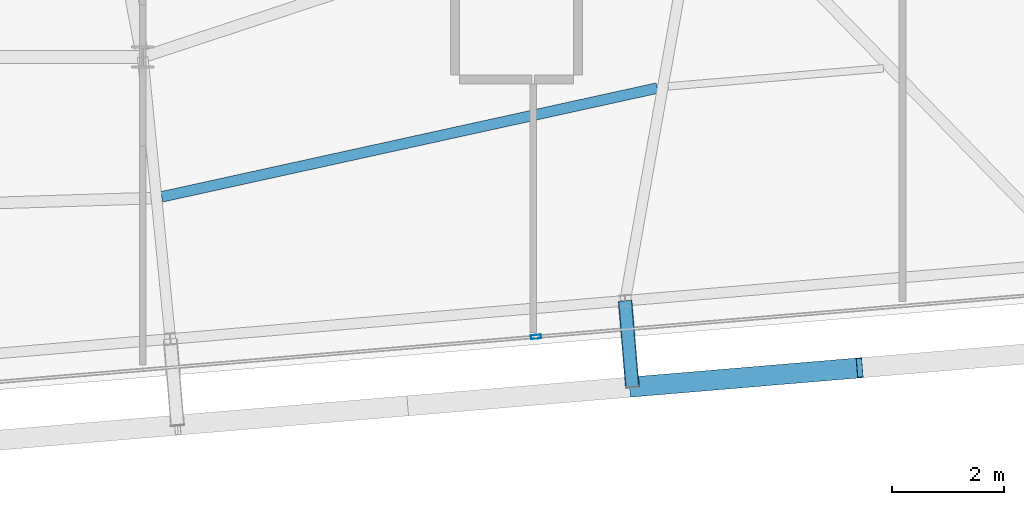
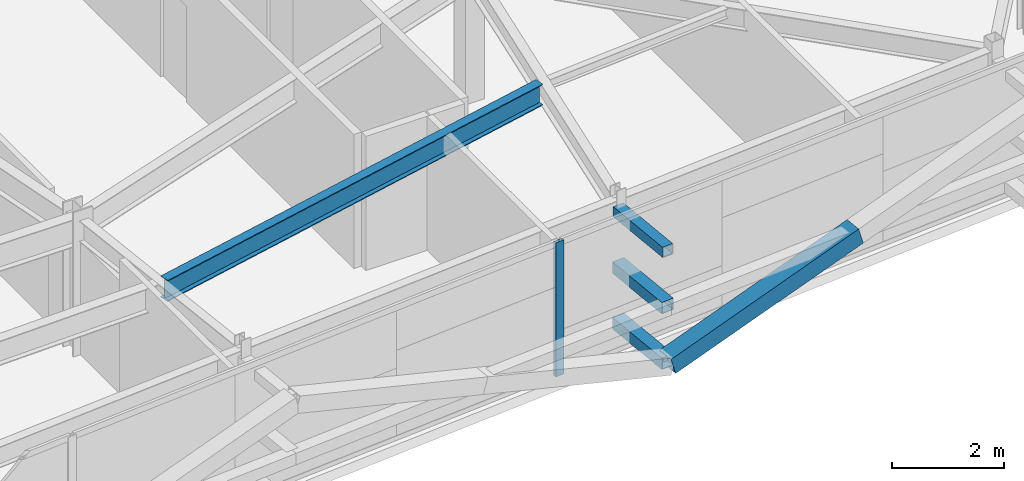
# One storey, part 16 of 39: 5 members, 1 beam, 1 element without a shape of its own.
"""IFC4 building model written with IfcOpenShell, lengths in metres."""

from ifc_helpers import new_model, si_unit, direction, frame, origin, origin_2d, place, context, subcontext, project, spatial, hollow_rectangle, i_section, extrude, source, transform, mapped, material, layer, layer_set, material_profile, profile_set, type_object, element, aggregate, save


model = new_model("IFC4")

# Units and contexts
model_context = context("Model", 3, precision=1e-05, world=origin(), true_north=direction((0.0, 1.0)))
body_context = subcontext(model_context, "Body", "Model", "MODEL_VIEW")
ifc_project = project(units=[si_unit("LENGTHUNIT", "METRE"), si_unit("AREAUNIT", "SQUARE_METRE"), si_unit("VOLUMEUNIT", "CUBIC_METRE"), si_unit("PLANEANGLEUNIT", "RADIAN"), si_unit("MASSUNIT", "GRAM", prefix="KILO")], contexts=[model_context])

# Site, building, storey
site_placement = place(None, origin())
site = spatial("IfcSite", under=ifc_project, at=site_placement, CompositionType="ELEMENT")
building_placement = place(site_placement, origin())
building = spatial("IfcBuilding", under=site, at=building_placement, Name="Taldren Reach Tower", CompositionType="ELEMENT")
storey_placement = place(building_placement, frame((0.0, 0.0, 178.85009765625)))
storey = spatial("IfcBuildingStorey", under=building, at=storey_placement, Name="L54", CompositionType="ELEMENT", Elevation=178.85009765625)

# Members
ifc_material_1 = material(Name="Steel Gr 350 (C350L0)", Category="steel")
ifc_material_profile_1 = material_profile(ifc_material_1, hollow_rectangle(XDim=0.25, YDim=0.25, WallThickness=0.010009765625, at=origin_2d()), Name="250x250x10.0SHS")
ifc_profile_set_1 = profile_set([ifc_material_profile_1], Name="Steel Gr 350 (C350L0)")
member_type_1 = type_object("IfcMemberType", Name="MB-POST250", PredefinedType="POST", material=ifc_profile_set_1)
shared_shape_1 = source(origin(), body_context, "Body", "SweptSolid", [
    extrude(hollow_rectangle(XDim=0.25, YDim=0.25, WallThickness=0.010009765625, at=origin_2d()), origin(), (0.0, 0.0, 1.0), 1.550048828125),
])
for number, where, z_axis, x_axis, name in (
    (1, (50.644775390625, 4.83203125, 0.219970703125), (0.083788408178, -0.996483568683, 0.0), (0.996483568683, 0.083788408178, 0.0), "Exoskeleton base diaphragm tie strut B4-S5 L54"),
    (2, (50.644775390625, 4.83203125, 1.434814453125), (0.083788408178, -0.996483568683, 0.0), (0.996483568683, 0.083788408178, 0.0), "Exoskeleton mid-tier diaphragm tie B4-S5 L54"),
):
    element("IfcMember", number, at=place(storey_placement, frame(where, z_axis=z_axis, x_axis=x_axis)), inside=storey, type_object=member_type_1, Name=name, PredefinedType="POST", context=body_context, shape_type="MappedRepresentation", body=[
        mapped(shared_shape_1, transform((0.0, 0.0, 0.0), scale=1.0)),
    ])

# Beam
ifc_material_2 = material(Name="Steel Gr 350 (350PLUS)", Category="steel")
ifc_material_profile_2 = material_profile(ifc_material_2, i_section(OverallWidth=0.19091796875, OverallDepth=0.4599609375, WebThickness=0.010009765625, FlangeThickness=0.01611328125, at=origin_2d()), Name="460UB82.1")
ifc_profile_set_2 = profile_set([ifc_material_profile_2], Name="Steel Gr 350 (350PLUS)")
beam_type = type_object("IfcBeamType", Name="BM-UB460A", PredefinedType="BEAM", material=ifc_profile_set_2)
shared_shape_2 = source(origin(), body_context, "Body", "SweptSolid", [
    extrude(i_section(OverallWidth=0.19091796875, OverallDepth=0.4599609375, WebThickness=0.010009765625, FlangeThickness=0.01611328125, at=origin_2d()), origin(), (0.0, 0.0, 1.0), 9.09228515625),
])
beam_placement = place(storey_placement, frame((42.3408203125, 6.6943359375, 2.699951171875), z_axis=(0.97674420602, 0.214407919647, 0.0), x_axis=(-0.214407919647, 0.97674420602, 0.0)))
element("IfcBeam", 3, at=beam_placement, inside=storey, type_object=beam_type, Name="Secondary floor beam B4 J4 L54", PredefinedType="BEAM", context=body_context, shape_type="MappedRepresentation", body=[
    mapped(shared_shape_2, transform((0.0, 0.0, 0.0), scale=1.0)),
])

# Members
ifc_material_3 = material(Name="Steel Gr 450 (C450L0)", Category="steel")
ifc_material_profile_3 = material_profile(ifc_material_3, hollow_rectangle(XDim=0.219970703125, YDim=0.219970703125, WallThickness=0.00830078125, at=origin_2d()), Name="220x220x8.2SHS")
ifc_profile_set_3 = profile_set([ifc_material_profile_3], Name="Steel Gr 450 (C450L0)")
member_type_2 = type_object("IfcMemberType", Name="MB-TIE219", PredefinedType="STRUT", material=ifc_profile_set_3)
shared_shape_3 = source(origin(), body_context, "Body", "SweptSolid", [
    extrude(hollow_rectangle(XDim=0.219970703125, YDim=0.219970703125, WallThickness=0.00830078125, at=origin_2d()), origin(), (0.0, 0.0, 1.0), 1.550048828125),
])
member_1_placement = place(storey_placement, frame((50.644775390625, 4.83203125, 2.64990234375), z_axis=(0.083788408178, -0.996483568683, 0.0), x_axis=(0.996483568683, 0.083788408178, 0.0)))
element("IfcMember", 4, at=member_1_placement, inside=storey, type_object=member_type_2, Name="Exoskeleton diaphragm tie strut B4-S5 L54", PredefinedType="STRUT", context=body_context, shape_type="MappedRepresentation", body=[
    mapped(shared_shape_3, transform((0.0, 0.0, 0.0), scale=1.0)),
])
ifc_material_profile_4 = material_profile(ifc_material_3, hollow_rectangle(XDim=0.360107421875, YDim=0.360107421875, WallThickness=0.0126953125, at=origin_2d()), Name="360x360x12.7SHS")
ifc_profile_set_4 = profile_set([ifc_material_profile_4], Name="Steel Gr 450 (C450L0)")
member_type_3 = type_object("IfcMemberType", Name="MB-EXO356", PredefinedType="BRACE", material=ifc_profile_set_4)
shared_shape_4 = source(origin(), body_context, "Body", "SweptSolid", [
    extrude(hollow_rectangle(XDim=0.360107421875, YDim=0.360107421875, WallThickness=0.0126953125, at=origin_2d()), origin(), (0.0, 0.0, 1.0), 4.2666015625),
])
member_2_placement = place(storey_placement, frame((50.774658203125, 3.287353515625, 0.219970703125), z_axis=(0.955244723646, 0.080223619417, 0.284730906006), x_axis=(-0.083687662192, 0.996492034688, 0.0)))
element("IfcMember", 5, at=member_2_placement, inside=storey, type_object=member_type_3, Name="Exoskeleton Diagrid Brace B4-S5 L54", PredefinedType="BRACE", context=body_context, shape_type="MappedRepresentation", body=[
    mapped(shared_shape_4, transform((0.0, 0.0, 0.0), scale=1.0)),
])

# Curtain wall, member
ifc_material_4 = material(Name="Aluminium and Low-E Glass Unitised System", Category="aluminium")
ifc_layer = layer(ifc_material_4, 0.159912109375)
ifc_layer_set = layer_set([ifc_layer], Name="Aluminium and Low-E Glass Unitised System")
curtain_wall_type = type_object("IfcCurtainWallType", Name="CW-SYS-5", PredefinedType="NOTDEFINED", material=ifc_layer_set)
curtain_wall_placement = place(storey_placement, origin())
curtain_wall = element("IfcCurtainWall", 6, at=curtain_wall_placement, inside=storey, type_object=curtain_wall_type, Name="Unitised curtain wall CW-L54-S", PredefinedType="NOTDEFINED")
ifc_material_5 = material(Name="Anodised Aluminium 6063-T6", Category="aluminium")
ifc_material_profile_5 = material_profile(ifc_material_5, hollow_rectangle(XDim=0.070068359375, YDim=0.179931640625, WallThickness=0.00390625, at=origin_2d()), Name="ALU-180x70x4RHS")
ifc_profile_set_5 = profile_set([ifc_material_profile_5], Name="Anodised Aluminium 6063-T6")
member_type_4 = type_object("IfcMemberType", Name="CW-MUL-180", PredefinedType="MULLION", material=ifc_profile_set_5)
shared_shape_5 = source(origin(), body_context, "Body", "SweptSolid", [
    extrude(hollow_rectangle(XDim=0.070068359375, YDim=0.179931640625, WallThickness=0.00390625, at=origin_2d()), origin(), (0.0, 0.0, 1.0), 2.929931640625),
])
member_3_placement = place(storey_placement, frame((49.04833984375, 4.18603515625, 0.0), z_axis=(0.0, 0.0, 1.0), x_axis=(-0.083677894865, 0.996492854922, 0.0)))
member_3 = element("IfcMember", 7, at=member_3_placement, type_object=member_type_4, Name="CW-5 mullion 4", PredefinedType="MULLION", context=body_context, shape_type="MappedRepresentation", body=[
    mapped(shared_shape_5, transform((0.0, 0.0, 0.0), scale=1.0)),
])
aggregate(curtain_wall, [member_3])

save(model, "model.ifc")
